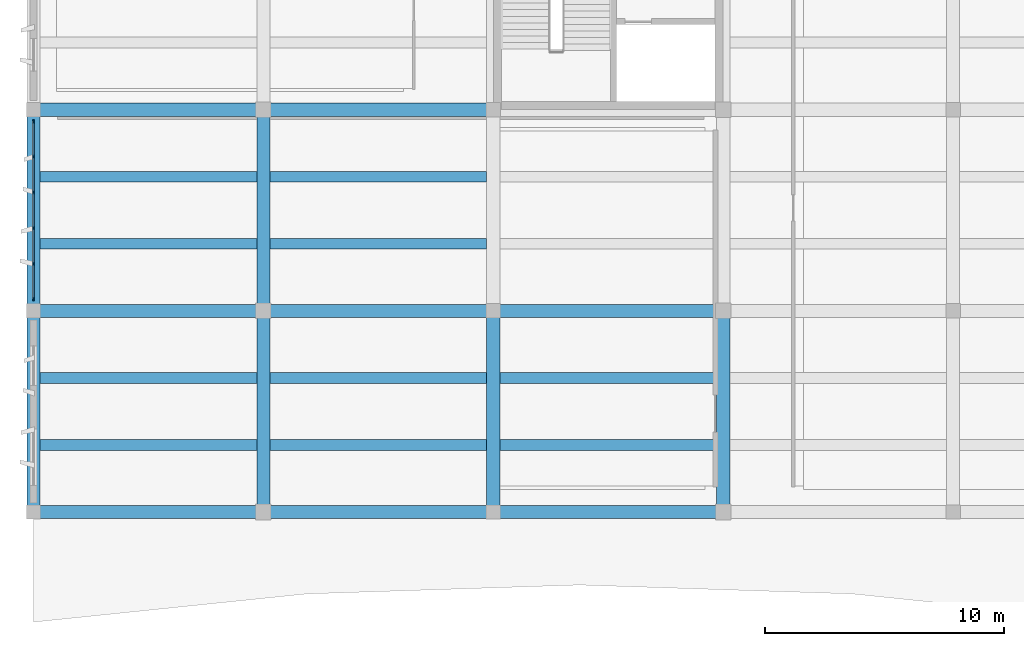
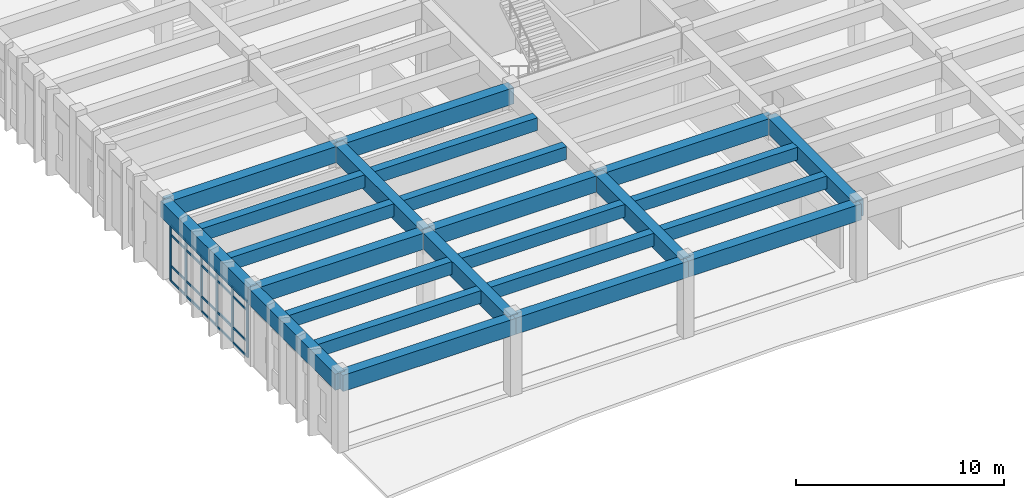
# One storey, part 3 of 86: 26 members, 24 beams, 1 element without a shape of its own.
"""IFC4 building model written with IfcOpenShell, lengths in metres."""

import ifcopenshell
import ifcopenshell.guid

model = None  # the IFC model being written
_history = None  # IfcOwnerHistory: only IFC2X3 demands one
_inside = {}  # id of a spatial element -> (the spatial element, [elements in it])
_under = {}  # id of a project, library or spatial element -> (it, [spatial elements below it])
_declared = {}  # id of a project -> (the project, [libraries it declares])
_typed = {}  # id of a type object -> (the type object, [elements of that type])
_made_of = {}  # id of a material, layer set ... -> (it, [elements and type objects made of it])


def new_model(schema):
    """Start an empty IFC model of exactly this schema.

    Asked for "IFC4X3", IfcOpenShell would pick the latest addendum, in which some entities
    have other attributes; the version numbers below select the first issue.
    IFC2X3 requires an IfcOwnerHistory on every rooted entity: one is made here for all.
    """
    global model, _history
    if schema == "IFC4X3":
        model = ifcopenshell.file(schema_version=(4, 3, 0, 0))
    else:
        model = ifcopenshell.file(schema=schema)
    _inside.clear()
    _under.clear()
    _declared.clear()
    _typed.clear()
    _made_of.clear()
    _history = None
    if model.schema == "IFC2X3":
        org = make("IfcOrganization", Name="unknown")
        user = make(
            "IfcPersonAndOrganization",
            ThePerson=make("IfcPerson", FamilyName="unknown"),
            TheOrganization=org,
        )
        app = make(
            "IfcApplication",
            ApplicationDeveloper=org,
            Version="unknown",
            ApplicationFullName="unknown",
            ApplicationIdentifier="unknown",
        )
        _history = make(
            "IfcOwnerHistory",
            OwningUser=user,
            OwningApplication=app,
            ChangeAction="ADDED",
            CreationDate=0,
        )
    return model


def make(cls, **values):
    """One entity of the class cls with the attributes given. An attribute that is None is left unset."""
    return model.create_entity(
        cls, **{name: value for name, value in values.items() if value is not None}
    )


def rooted(cls, **values):
    """An entity with a GlobalId (a new one), such as an element, a storey or a relation."""
    return make(cls, GlobalId=ifcopenshell.guid.new(), OwnerHistory=_history, **values)


def si_unit(unit_type, name, prefix=None):
    """IfcSIUnit, for example si_unit("LENGTHUNIT", "METRE", prefix="MILLI")."""
    return make("IfcSIUnit", UnitType=unit_type, Prefix=prefix, Name=name)


def assignment(units):
    """IfcUnitAssignment: the units of a project."""
    return None if units is None else make("IfcUnitAssignment", Units=units)


def point(xyz):
    """IfcCartesianPoint."""
    return None if xyz is None else make("IfcCartesianPoint", Coordinates=xyz)


def direction(xyz):
    """IfcDirection."""
    return None if xyz is None else make("IfcDirection", DirectionRatios=xyz)


def frame(location, z_axis=None, x_axis=None):
    """IfcAxis2Placement3D, a coordinate frame: its origin and axes. An axis left out is left unset."""
    return make(
        "IfcAxis2Placement3D",
        Location=point(location),
        Axis=direction(z_axis),
        RefDirection=direction(x_axis),
    )


def frame_2d(location, x_axis=None):
    """IfcAxis2Placement2D, a coordinate frame in the plane: its origin and x axis."""
    return make(
        "IfcAxis2Placement2D", Location=point(location), RefDirection=direction(x_axis)
    )


def origin():
    """The frame at (0, 0, 0) with its axes left unset."""
    return frame((0.0, 0.0, 0.0))


def origin_2d():
    """The frame at (0, 0) in the plane with its x axis left unset."""
    return frame_2d((0.0, 0.0))


def place(relative_to, where):
    """IfcLocalPlacement: puts the frame where relative to a parent placement (None: the world)."""
    return make(
        "IfcLocalPlacement", PlacementRelTo=relative_to, RelativePlacement=where
    )


def context(
    kind, dimensions, precision=None, world=None, true_north=None, identifier=None
):
    """IfcGeometricRepresentationContext, for example the 3D "Model" context."""
    return make(
        "IfcGeometricRepresentationContext",
        ContextIdentifier=identifier,
        ContextType=kind,
        CoordinateSpaceDimension=dimensions,
        Precision=precision,
        WorldCoordinateSystem=world,
        TrueNorth=true_north,
    )


def subcontext(parent, identifier, kind, view, scale=None):
    """IfcGeometricRepresentationSubContext, for example "Body" below "Model"."""
    return make(
        "IfcGeometricRepresentationSubContext",
        ContextIdentifier=identifier,
        ContextType=kind,
        ParentContext=parent,
        TargetScale=scale,
        TargetView=view,
    )


def project(units=None, contexts=None):
    """IfcProject with its units and contexts."""
    return rooted(
        "IfcProject",
        Name="project",
        RepresentationContexts=contexts,
        UnitsInContext=assignment(units),
    )


def spatial(cls, under=None, at=None, **own):
    """A site, building, storey or space (cls), placed at a placement, below another one or the project."""
    s = rooted(cls, ObjectPlacement=at, **own)
    if under is not None:
        _under.setdefault(under.id(), (under, []))[1].append(s)
    return s


def profile(cls, at=None, kind="AREA", **sizes):
    """A parametric profile (cls). Its sizes go by their IFC names, for example OverallWidth=200.0."""
    return make(cls, ProfileType=kind, Position=at, **sizes)


def rectangle(**sizes):
    """IfcRectangleProfileDef."""
    return profile("IfcRectangleProfileDef", **sizes)


def extrude(swept, where, along, depth):
    """IfcExtrudedAreaSolid: the profile swept, set in the frame where, extruded along a direction by depth."""
    return make(
        "IfcExtrudedAreaSolid",
        SweptArea=swept,
        Position=where,
        ExtrudedDirection=direction(along),
        Depth=depth,
    )


def shape(context_of_items, identifier, shape_type, items):
    """IfcShapeRepresentation: the items that make up one representation, for example the "Body"."""
    return make(
        "IfcShapeRepresentation",
        ContextOfItems=context_of_items,
        RepresentationIdentifier=identifier,
        RepresentationType=shape_type,
        Items=items,
    )


def material(Name=None, Category=None):
    """IfcMaterial."""
    return make("IfcMaterial", Name=Name, Category=Category)


def layer(
    of_material, thickness, ventilated=None, Name=None, Category=None, Priority=None
):
    """IfcMaterialLayer: one layer of a wall or slab, of a material (None: an air gap)."""
    return make(
        "IfcMaterialLayer",
        Material=of_material,
        LayerThickness=thickness,
        IsVentilated=ventilated,
        Name=Name,
        Category=Category,
        Priority=Priority,
    )


def layer_set(layers, Name=None):
    """IfcMaterialLayerSet."""
    return make("IfcMaterialLayerSet", MaterialLayers=layers, LayerSetName=Name)


def material_profile(
    of_material, cross_section, Name=None, Category=None, Priority=None
):
    """IfcMaterialProfile: a cross section and its material."""
    return make(
        "IfcMaterialProfile",
        Name=Name,
        Material=of_material,
        Profile=cross_section,
        Priority=Priority,
        Category=Category,
    )


def profile_set(profiles, Name=None, composite=None):
    """IfcMaterialProfileSet."""
    return make(
        "IfcMaterialProfileSet",
        Name=Name,
        MaterialProfiles=profiles,
        CompositeProfile=composite,
    )


def made_of(thing, what):
    """Note that an element or type object is made of a material, layer set ...; save() writes the relation."""
    if what is not None:
        _made_of.setdefault(what.id(), (what, []))[1].append(thing)
    return thing


def type_object(cls, material=None, **own):
    """A type object (cls), such as IfcWallType, which elements share."""
    return made_of(rooted(cls, **own), material)


def element(
    cls,
    number,
    at=None,
    inside=None,
    cuts=None,
    type_object=None,
    material=None,
    context=None,
    identifier="Body",
    shape_type=None,
    held_by="IfcProductDefinitionShape",
    body=None,
    shapes=None,
    **own,
):
    """One element of the class cls, such as IfcWall. Its Tag is "e" and its number.

    at: its placement. inside: the storey or other place that contains it. cuts: it is an
    opening in that element (IfcRelVoidsElement). A single representation is given by context,
    identifier, shape_type and body (its items); several are given by shapes. held_by: the class
    of the entity that holds the representations. save() writes the other relations.
    """
    e = rooted(cls, Tag="e%d" % number, ObjectPlacement=at, **own)
    if body is not None:
        shapes = [shape(context, identifier, shape_type, body)]
    if shapes is not None:
        e.Representation = make(held_by, Representations=shapes)
    if inside is not None:
        _inside.setdefault(inside.id(), (inside, []))[1].append(e)
    if cuts is not None:
        rooted(
            "IfcRelVoidsElement", RelatingBuildingElement=cuts, RelatedOpeningElement=e
        )
    if type_object is not None:
        _typed.setdefault(type_object.id(), (type_object, []))[1].append(e)
    return made_of(e, material)


def aggregate(whole, parts):
    """IfcRelAggregates: a whole, such as a stair, and the parts it consists of."""
    return rooted("IfcRelAggregates", RelatingObject=whole, RelatedObjects=parts)


def save(model, path):
    """Write the relations noted so far, then the file.

    IfcRelAggregates (storeys below a building ...), IfcRelContainedInSpatialStructure (elements
    in a storey), IfcRelDefinesByType, IfcRelAssociatesMaterial and IfcRelDeclares: one each for
    every whole, place, type object, material and project.
    """
    for whole, parts in _under.values():
        aggregate(whole, parts)
    for where, things in _inside.values():
        rooted(
            "IfcRelContainedInSpatialStructure",
            RelatedElements=things,
            RelatingStructure=where,
        )
    for kind, things in _typed.values():
        rooted("IfcRelDefinesByType", RelatedObjects=things, RelatingType=kind)
    for what, things in _made_of.values():
        rooted("IfcRelAssociatesMaterial", RelatedObjects=things, RelatingMaterial=what)
    for by, libraries in _declared.values():
        rooted("IfcRelDeclares", RelatingContext=by, RelatedDefinitions=libraries)
    model.write(path)


model = new_model("IFC4")

# Units and contexts
model_context = context("Model", 3, precision=1e-05, world=origin(), true_north=direction((0.0, 1.0)))
body_context = subcontext(model_context, "Body", "Model", "MODEL_VIEW")
ifc_project = project(units=[si_unit("LENGTHUNIT", "METRE"), si_unit("AREAUNIT", "SQUARE_METRE"), si_unit("VOLUMEUNIT", "CUBIC_METRE"), si_unit("PLANEANGLEUNIT", "RADIAN"), si_unit("MASSUNIT", "GRAM", prefix="KILO")], contexts=[model_context])

# Site, building, storey
site_placement = place(None, origin())
site = spatial("IfcSite", under=ifc_project, at=site_placement, CompositionType="ELEMENT")
building_placement = place(site_placement, origin())
building = spatial("IfcBuilding", under=site, at=building_placement, Name="Kolvemor Railside Polytechnic", CompositionType="ELEMENT")
storey_placement = place(building_placement, frame((0.0, 0.0, 5.39990234375)))
storey = spatial("IfcBuildingStorey", under=building, at=storey_placement, Name="L01", CompositionType="ELEMENT", Elevation=5.39990234375)

# Beams
ifc_material_1 = material(Name="Concrete C40/50", Category="concrete")
ifc_material_profile_1 = material_profile(ifc_material_1, rectangle(XDim=0.550048828125, YDim=0.949951171875, at=origin_2d()), Name="RC550x950")
ifc_profile_set_1 = profile_set([ifc_material_profile_1], Name="Concrete C40/50")
beam_type_1 = type_object("IfcBeamType", Name="BM-RC-GIRD", PredefinedType="BEAM", material=ifc_profile_set_1)
beam_1_placement = place(storey_placement, frame((0.0, 4.800048828125, 4.005126953125), z_axis=(1.0, 0.0, 0.0), x_axis=(0.0, 1.0, 0.0)))
element("IfcBeam", 1, at=beam_1_placement, inside=storey, type_object=beam_type_1, Name="Primary Girder L02-GX 0558", PredefinedType="BEAM", context=body_context, shape_type="SweptSolid", body=[
    extrude(rectangle(XDim=0.550048828125, YDim=0.949951171875, at=origin_2d()), origin(), (0.0, 0.0, 1.0), 9.60009765625),
])
beam_2_placement = place(storey_placement, frame((9.60009765625, 4.800048828125, 4.005126953125), z_axis=(1.0, 0.0, 0.0), x_axis=(0.0, 1.0, 0.0)))
element("IfcBeam", 2, at=beam_2_placement, inside=storey, type_object=beam_type_1, Name="Primary Girder L02-GX 0559", PredefinedType="BEAM", context=body_context, shape_type="SweptSolid", body=[
    extrude(rectangle(XDim=0.550048828125, YDim=0.949951171875, at=origin_2d()), origin(), (0.0, 0.0, 1.0), 9.599853515625),
])
for number, where, z_axis, x_axis, name in (
    (3, (19.199951171875, 4.800048828125, 4.005126953125), (1.0, 0.0, 0.0), (0.0, 1.0, 0.0), "Primary Girder L02-GX 0560"),
    (4, (0.0, 13.199951171875, 4.005126953125), (1.0, 0.0, 0.0), (0.0, 1.0, 0.0), "Primary Girder L02-GX 0563"),
):
    element("IfcBeam", number, at=place(storey_placement, frame(where, z_axis=z_axis, x_axis=x_axis)), inside=storey, type_object=beam_type_1, Name=name, PredefinedType="BEAM", context=body_context, shape_type="SweptSolid", body=[
        extrude(rectangle(XDim=0.550048828125, YDim=0.949951171875, at=origin_2d()), origin(), (0.0, 0.0, 1.0), 9.60009765625),
    ])
beam_3_placement = place(storey_placement, frame((9.60009765625, 13.199951171875, 4.005126953125), z_axis=(1.0, 0.0, 0.0), x_axis=(0.0, 1.0, 0.0)))
element("IfcBeam", 5, at=beam_3_placement, inside=storey, type_object=beam_type_1, Name="Primary Girder L02-GX 0564", PredefinedType="BEAM", context=body_context, shape_type="SweptSolid", body=[
    extrude(rectangle(XDim=0.550048828125, YDim=0.949951171875, at=origin_2d()), origin(), (0.0, 0.0, 1.0), 9.599853515625),
])
for number, where, z_axis, x_axis, name in (
    (6, (19.199951171875, 13.199951171875, 4.005126953125), (1.0, 0.0, 0.0), (0.0, 1.0, 0.0), "Primary Girder L02-GX 0565"),
    (7, (0.0, 21.60009765625, 4.005126953125), (1.0, 0.0, 0.0), (0.0, 1.0, 0.0), "Primary Girder L02-GX 0568"),
):
    element("IfcBeam", number, at=place(storey_placement, frame(where, z_axis=z_axis, x_axis=x_axis)), inside=storey, type_object=beam_type_1, Name=name, PredefinedType="BEAM", context=body_context, shape_type="SweptSolid", body=[
        extrude(rectangle(XDim=0.550048828125, YDim=0.949951171875, at=origin_2d()), origin(), (0.0, 0.0, 1.0), 9.60009765625),
    ])
beam_4_placement = place(storey_placement, frame((9.60009765625, 21.60009765625, 4.005126953125), z_axis=(1.0, 0.0, 0.0), x_axis=(0.0, 1.0, 0.0)))
element("IfcBeam", 8, at=beam_4_placement, inside=storey, type_object=beam_type_1, Name="Primary Girder L02-GX 0569", PredefinedType="BEAM", context=body_context, shape_type="SweptSolid", body=[
    extrude(rectangle(XDim=0.550048828125, YDim=0.949951171875, at=origin_2d()), origin(), (0.0, 0.0, 1.0), 9.599853515625),
])
beam_5_placement = place(storey_placement, frame((0.0, 4.800048828125, 4.005126953125), z_axis=(0.0, 1.0, 0.0), x_axis=(-1.0, 0.0, 0.0)))
element("IfcBeam", 9, at=beam_5_placement, inside=storey, type_object=beam_type_1, Name="Primary Girder L02-GY 0608", PredefinedType="BEAM", context=body_context, shape_type="SweptSolid", body=[
    extrude(rectangle(XDim=0.550048828125, YDim=0.949951171875, at=origin_2d()), origin(), (0.0, 0.0, 1.0), 8.39990234375),
])
beam_6_placement = place(storey_placement, frame((0.0, 13.199951171875, 4.005126953125), z_axis=(0.0, 1.0, 0.0), x_axis=(-1.0, 0.0, 0.0)))
element("IfcBeam", 10, at=beam_6_placement, inside=storey, type_object=beam_type_1, Name="Primary Girder L02-GY 0609", PredefinedType="BEAM", context=body_context, shape_type="SweptSolid", body=[
    extrude(rectangle(XDim=0.550048828125, YDim=0.949951171875, at=origin_2d()), origin(), (0.0, 0.0, 1.0), 8.400146484375),
])
beam_7_placement = place(storey_placement, frame((9.60009765625, 4.800048828125, 4.005126953125), z_axis=(0.0, 1.0, 0.0), x_axis=(-1.0, 0.0, 0.0)))
element("IfcBeam", 11, at=beam_7_placement, inside=storey, type_object=beam_type_1, Name="Primary Girder L02-GY 0617", PredefinedType="BEAM", context=body_context, shape_type="SweptSolid", body=[
    extrude(rectangle(XDim=0.550048828125, YDim=0.949951171875, at=origin_2d()), origin(), (0.0, 0.0, 1.0), 8.39990234375),
])
beam_8_placement = place(storey_placement, frame((9.60009765625, 13.199951171875, 4.005126953125), z_axis=(0.0, 1.0, 0.0), x_axis=(-1.0, 0.0, 0.0)))
element("IfcBeam", 12, at=beam_8_placement, inside=storey, type_object=beam_type_1, Name="Primary Girder L02-GY 0618", PredefinedType="BEAM", context=body_context, shape_type="SweptSolid", body=[
    extrude(rectangle(XDim=0.550048828125, YDim=0.949951171875, at=origin_2d()), origin(), (0.0, 0.0, 1.0), 8.400146484375),
])
for number, where, z_axis, x_axis, name in (
    (13, (19.199951171875, 4.800048828125, 4.005126953125), (0.0, 1.0, 0.0), (-1.0, 0.0, 0.0), "Primary Girder L02-GY 0626"),
    (14, (28.800048828125, 4.800048828125, 4.005126953125), (0.0, 1.0, 0.0), (-1.0, 0.0, 0.0), "Primary Girder L02-GY 0635"),
):
    element("IfcBeam", number, at=place(storey_placement, frame(where, z_axis=z_axis, x_axis=x_axis)), inside=storey, type_object=beam_type_1, Name=name, PredefinedType="BEAM", context=body_context, shape_type="SweptSolid", body=[
        extrude(rectangle(XDim=0.550048828125, YDim=0.949951171875, at=origin_2d()), origin(), (0.0, 0.0, 1.0), 8.39990234375),
    ])
ifc_material_2 = material(Name="Concrete C40/50", Category="concrete")
ifc_material_profile_2 = material_profile(ifc_material_2, rectangle(XDim=0.449951171875, YDim=0.75, at=origin_2d()), Name="RC450x750")
ifc_profile_set_2 = profile_set([ifc_material_profile_2], Name="Concrete C40/50")
beam_type_2 = type_object("IfcBeamType", Name="BM-RC-SEC", PredefinedType="JOIST", material=ifc_profile_set_2)
for number, where, z_axis, x_axis, name in (
    (15, (0.27490234375, 7.60009765625, 4.10498046875), (1.0, 0.0, 0.0), (0.0, 1.0, 0.0), "Floor Joist L02-J0662"),
    (16, (0.27490234375, 10.39990234375, 4.10498046875), (1.0, 0.0, 0.0), (0.0, 1.0, 0.0), "Floor Joist L02-J0663"),
    (17, (0.27490234375, 16.0, 4.10498046875), (1.0, 0.0, 0.0), (0.0, 1.0, 0.0), "Floor Joist L02-J0664"),
    (18, (0.27490234375, 18.800048828125, 4.10498046875), (1.0, 0.0, 0.0), (0.0, 1.0, 0.0), "Floor Joist L02-J0665"),
    (19, (9.875, 7.60009765625, 4.10498046875), (1.0, 0.0, 0.0), (0.0, 1.0, 0.0), "Floor Joist L02-J0680"),
    (20, (9.875, 10.39990234375, 4.10498046875), (1.0, 0.0, 0.0), (0.0, 1.0, 0.0), "Floor Joist L02-J0681"),
    (21, (9.875, 16.0, 4.10498046875), (1.0, 0.0, 0.0), (0.0, 1.0, 0.0), "Floor Joist L02-J0682"),
    (22, (9.875, 18.800048828125, 4.10498046875), (1.0, 0.0, 0.0), (0.0, 1.0, 0.0), "Floor Joist L02-J0683"),
):
    element("IfcBeam", number, at=place(storey_placement, frame(where, z_axis=z_axis, x_axis=x_axis)), inside=storey, type_object=beam_type_2, Name=name, PredefinedType="JOIST", context=body_context, shape_type="SweptSolid", body=[
        extrude(rectangle(XDim=0.449951171875, YDim=0.75, at=origin_2d()), origin(), (0.0, 0.0, 1.0), 9.050048828125),
    ])
for number, where, z_axis, x_axis, name in (
    (23, (19.47509765625, 7.60009765625, 4.10498046875), (1.0, 0.0, 0.0), (0.0, 1.0, 0.0), "Floor Joist L02-J0698"),
    (24, (19.47509765625, 10.39990234375, 4.10498046875), (1.0, 0.0, 0.0), (0.0, 1.0, 0.0), "Floor Joist L02-J0699"),
):
    element("IfcBeam", number, at=place(storey_placement, frame(where, z_axis=z_axis, x_axis=x_axis)), inside=storey, type_object=beam_type_2, Name=name, PredefinedType="JOIST", context=body_context, shape_type="SweptSolid", body=[
        extrude(rectangle(XDim=0.449951171875, YDim=0.75, at=origin_2d()), origin(), (0.0, 0.0, 1.0), 9.0498046875),
    ])

# Curtain wall, members
ifc_material_3 = material(Name="Anodised marine aluminium and laminated low-E glass", Category="aluminium")
ifc_layer = layer(ifc_material_3, 0.179931640625, Name="CW-UNIT-STD")
ifc_layer_set = layer_set([ifc_layer], Name="Anodised marine aluminium and laminated low-E glass")
curtain_wall_type = type_object("IfcCurtainWallType", Name="CW-UNIT-STD", PredefinedType="USERDEFINED", material=ifc_layer_set)
curtain_wall_placement = place(storey_placement, origin())
curtain_wall = element("IfcCurtainWall", 25, at=curtain_wall_placement, inside=storey, type_object=curtain_wall_type, Name="Curtain Wall L01-047", ObjectType="UNITISED CURTAIN WALL", PredefinedType="USERDEFINED")
ifc_material_4 = material(Name="Anodised marine aluminium 6063-T6", Category="aluminium")
ifc_material_profile_3 = material_profile(ifc_material_4, rectangle(XDim=0.06494140625, YDim=0.14990234375, at=origin_2d()), Name="CW-MUL-65x150")
ifc_profile_set_3 = profile_set([ifc_material_profile_3], Name="Anodised marine aluminium 6063-T6")
member_type_1 = type_object("IfcMemberType", Name="CWM-65x150", PredefinedType="MULLION", material=ifc_profile_set_3)
member_1_placement = place(storey_placement, frame((0.0, 21.097412109375, 0.0), z_axis=(0.0, 0.0, 1.0), x_axis=(1.0, 0.0, 0.0)))
member_1 = element("IfcMember", 26, at=member_1_placement, type_object=member_type_1, Name="CW-STD mullion 1", PredefinedType="MULLION", context=body_context, shape_type="SweptSolid", body=[
    extrude(rectangle(XDim=0.06494140625, YDim=0.14990234375, at=origin_2d()), origin(), (0.0, 0.0, 1.0), 3.280029296875),
])
member_2_placement = place(storey_placement, frame((0.0, 19.637939453125, 0.0), z_axis=(0.0, 0.0, 1.0), x_axis=(1.0, 0.0, 0.0)))
member_2 = element("IfcMember", 27, at=member_2_placement, type_object=member_type_1, Name="CW-STD mullion 2", PredefinedType="MULLION", context=body_context, shape_type="SweptSolid", body=[
    extrude(rectangle(XDim=0.06494140625, YDim=0.14990234375, at=origin_2d()), origin(), (0.0, 0.0, 1.0), 3.280029296875),
])
member_3_placement = place(storey_placement, frame((0.0, 18.14599609375, 0.0), z_axis=(0.0, 0.0, 1.0), x_axis=(1.0, 0.0, 0.0)))
member_3 = element("IfcMember", 28, at=member_3_placement, type_object=member_type_1, Name="CW-STD mullion 3", PredefinedType="MULLION", context=body_context, shape_type="SweptSolid", body=[
    extrude(rectangle(XDim=0.06494140625, YDim=0.14990234375, at=origin_2d()), origin(), (0.0, 0.0, 1.0), 3.280029296875),
])
member_4_placement = place(storey_placement, frame((0.0, 16.654052734375, 0.0), z_axis=(0.0, 0.0, 1.0), x_axis=(1.0, 0.0, 0.0)))
member_4 = element("IfcMember", 29, at=member_4_placement, type_object=member_type_1, Name="CW-STD mullion 4", PredefinedType="MULLION", context=body_context, shape_type="SweptSolid", body=[
    extrude(rectangle(XDim=0.06494140625, YDim=0.14990234375, at=origin_2d()), origin(), (0.0, 0.0, 1.0), 3.280029296875),
])
member_5_placement = place(storey_placement, frame((0.0, 15.162109375, 0.0), z_axis=(0.0, 0.0, 1.0), x_axis=(1.0, 0.0, 0.0)))
member_5 = element("IfcMember", 30, at=member_5_placement, type_object=member_type_1, Name="CW-STD mullion 5", PredefinedType="MULLION", context=body_context, shape_type="SweptSolid", body=[
    extrude(rectangle(XDim=0.06494140625, YDim=0.14990234375, at=origin_2d()), origin(), (0.0, 0.0, 1.0), 3.280029296875),
])
member_6_placement = place(storey_placement, frame((0.0, 13.702392578125, 0.0), z_axis=(0.0, 0.0, 1.0), x_axis=(1.0, 0.0, 0.0)))
member_6 = element("IfcMember", 31, at=member_6_placement, type_object=member_type_1, Name="CW-STD mullion 6", PredefinedType="MULLION", context=body_context, shape_type="SweptSolid", body=[
    extrude(rectangle(XDim=0.06494140625, YDim=0.14990234375, at=origin_2d()), origin(), (0.0, 0.0, 1.0), 3.280029296875),
])
ifc_material_5 = material(Name="Anodised marine aluminium 6063-T6", Category="aluminium")
ifc_material_profile_4 = material_profile(ifc_material_5, rectangle(XDim=0.06494140625, YDim=0.1201171875, at=origin_2d()), Name="CW-TRN-65x120")
ifc_profile_set_4 = profile_set([ifc_material_profile_4], Name="Anodised marine aluminium 6063-T6")
member_type_2 = type_object("IfcMemberType", Name="CWT-65x120", PredefinedType="USERDEFINED", material=ifc_profile_set_4)
member_7_placement = place(storey_placement, frame((0.0, 21.06494140625, 0.03271484375), z_axis=(0.0, -1.0, 0.0), x_axis=(1.0, 0.0, 0.0)))
member_7 = element("IfcMember", 32, at=member_7_placement, type_object=member_type_2, Name="CW-STD transom 1.1", ObjectType="TRANSOM", PredefinedType="USERDEFINED", context=body_context, shape_type="SweptSolid", body=[
    extrude(rectangle(XDim=0.06494140625, YDim=0.1201171875, at=origin_2d()), origin(), (0.0, 0.0, 1.0), 1.39453125),
])
member_8_placement = place(storey_placement, frame((0.0, 21.06494140625, 0.900146484375), z_axis=(0.0, -1.0, 0.0), x_axis=(1.0, 0.0, 0.0)))
member_8 = element("IfcMember", 33, at=member_8_placement, type_object=member_type_2, Name="CW-STD transom 1.2", ObjectType="TRANSOM", PredefinedType="USERDEFINED", context=body_context, shape_type="SweptSolid", body=[
    extrude(rectangle(XDim=0.06494140625, YDim=0.1201171875, at=origin_2d()), origin(), (0.0, 0.0, 1.0), 1.39453125),
])
member_9_placement = place(storey_placement, frame((0.0, 21.06494140625, 2.72998046875), z_axis=(0.0, -1.0, 0.0), x_axis=(1.0, 0.0, 0.0)))
member_9 = element("IfcMember", 34, at=member_9_placement, type_object=member_type_2, Name="CW-STD transom 1.3", ObjectType="TRANSOM", PredefinedType="USERDEFINED", context=body_context, shape_type="SweptSolid", body=[
    extrude(rectangle(XDim=0.06494140625, YDim=0.1201171875, at=origin_2d()), origin(), (0.0, 0.0, 1.0), 1.39453125),
])
member_10_placement = place(storey_placement, frame((0.0, 21.06494140625, 3.24755859375), z_axis=(0.0, -1.0, 0.0), x_axis=(1.0, 0.0, 0.0)))
member_10 = element("IfcMember", 35, at=member_10_placement, type_object=member_type_2, Name="CW-STD transom 1.4", ObjectType="TRANSOM", PredefinedType="USERDEFINED", context=body_context, shape_type="SweptSolid", body=[
    extrude(rectangle(XDim=0.06494140625, YDim=0.1201171875, at=origin_2d()), origin(), (0.0, 0.0, 1.0), 1.39453125),
])
member_11_placement = place(storey_placement, frame((0.0, 19.60546875, 0.03271484375), z_axis=(0.0, -1.0, 0.0), x_axis=(1.0, 0.0, 0.0)))
member_11 = element("IfcMember", 36, at=member_11_placement, type_object=member_type_2, Name="CW-STD transom 2.1", ObjectType="TRANSOM", PredefinedType="USERDEFINED", context=body_context, shape_type="SweptSolid", body=[
    extrude(rectangle(XDim=0.06494140625, YDim=0.1201171875, at=origin_2d()), origin(), (0.0, 0.0, 1.0), 1.427001953125),
])
member_12_placement = place(storey_placement, frame((0.0, 19.60546875, 0.900146484375), z_axis=(0.0, -1.0, 0.0), x_axis=(1.0, 0.0, 0.0)))
member_12 = element("IfcMember", 37, at=member_12_placement, type_object=member_type_2, Name="CW-STD transom 2.2", ObjectType="TRANSOM", PredefinedType="USERDEFINED", context=body_context, shape_type="SweptSolid", body=[
    extrude(rectangle(XDim=0.06494140625, YDim=0.1201171875, at=origin_2d()), origin(), (0.0, 0.0, 1.0), 1.427001953125),
])
member_13_placement = place(storey_placement, frame((0.0, 19.60546875, 2.72998046875), z_axis=(0.0, -1.0, 0.0), x_axis=(1.0, 0.0, 0.0)))
member_13 = element("IfcMember", 38, at=member_13_placement, type_object=member_type_2, Name="CW-STD transom 2.3", ObjectType="TRANSOM", PredefinedType="USERDEFINED", context=body_context, shape_type="SweptSolid", body=[
    extrude(rectangle(XDim=0.06494140625, YDim=0.1201171875, at=origin_2d()), origin(), (0.0, 0.0, 1.0), 1.427001953125),
])
member_14_placement = place(storey_placement, frame((0.0, 19.60546875, 3.24755859375), z_axis=(0.0, -1.0, 0.0), x_axis=(1.0, 0.0, 0.0)))
member_14 = element("IfcMember", 39, at=member_14_placement, type_object=member_type_2, Name="CW-STD transom 2.4", ObjectType="TRANSOM", PredefinedType="USERDEFINED", context=body_context, shape_type="SweptSolid", body=[
    extrude(rectangle(XDim=0.06494140625, YDim=0.1201171875, at=origin_2d()), origin(), (0.0, 0.0, 1.0), 1.427001953125),
])
member_15_placement = place(storey_placement, frame((0.0, 18.113525390625, 0.03271484375), z_axis=(0.0, -1.0, 0.0), x_axis=(1.0, 0.0, 0.0)))
member_15 = element("IfcMember", 40, at=member_15_placement, type_object=member_type_2, Name="CW-STD transom 3.1", ObjectType="TRANSOM", PredefinedType="USERDEFINED", context=body_context, shape_type="SweptSolid", body=[
    extrude(rectangle(XDim=0.06494140625, YDim=0.1201171875, at=origin_2d()), origin(), (0.0, 0.0, 1.0), 1.427001953125),
])
member_16_placement = place(storey_placement, frame((0.0, 18.113525390625, 0.900146484375), z_axis=(0.0, -1.0, 0.0), x_axis=(1.0, 0.0, 0.0)))
member_16 = element("IfcMember", 41, at=member_16_placement, type_object=member_type_2, Name="CW-STD transom 3.2", ObjectType="TRANSOM", PredefinedType="USERDEFINED", context=body_context, shape_type="SweptSolid", body=[
    extrude(rectangle(XDim=0.06494140625, YDim=0.1201171875, at=origin_2d()), origin(), (0.0, 0.0, 1.0), 1.427001953125),
])
member_17_placement = place(storey_placement, frame((0.0, 18.113525390625, 2.72998046875), z_axis=(0.0, -1.0, 0.0), x_axis=(1.0, 0.0, 0.0)))
member_17 = element("IfcMember", 42, at=member_17_placement, type_object=member_type_2, Name="CW-STD transom 3.3", ObjectType="TRANSOM", PredefinedType="USERDEFINED", context=body_context, shape_type="SweptSolid", body=[
    extrude(rectangle(XDim=0.06494140625, YDim=0.1201171875, at=origin_2d()), origin(), (0.0, 0.0, 1.0), 1.427001953125),
])
member_18_placement = place(storey_placement, frame((0.0, 18.113525390625, 3.24755859375), z_axis=(0.0, -1.0, 0.0), x_axis=(1.0, 0.0, 0.0)))
member_18 = element("IfcMember", 43, at=member_18_placement, type_object=member_type_2, Name="CW-STD transom 3.4", ObjectType="TRANSOM", PredefinedType="USERDEFINED", context=body_context, shape_type="SweptSolid", body=[
    extrude(rectangle(XDim=0.06494140625, YDim=0.1201171875, at=origin_2d()), origin(), (0.0, 0.0, 1.0), 1.427001953125),
])
member_19_placement = place(storey_placement, frame((0.0, 16.62158203125, 0.03271484375), z_axis=(0.0, -1.0, 0.0), x_axis=(1.0, 0.0, 0.0)))
member_19 = element("IfcMember", 44, at=member_19_placement, type_object=member_type_2, Name="CW-STD transom 4.1", ObjectType="TRANSOM", PredefinedType="USERDEFINED", context=body_context, shape_type="SweptSolid", body=[
    extrude(rectangle(XDim=0.06494140625, YDim=0.1201171875, at=origin_2d()), origin(), (0.0, 0.0, 1.0), 1.427001953125),
])
member_20_placement = place(storey_placement, frame((0.0, 16.62158203125, 0.900146484375), z_axis=(0.0, -1.0, 0.0), x_axis=(1.0, 0.0, 0.0)))
member_20 = element("IfcMember", 45, at=member_20_placement, type_object=member_type_2, Name="CW-STD transom 4.2", ObjectType="TRANSOM", PredefinedType="USERDEFINED", context=body_context, shape_type="SweptSolid", body=[
    extrude(rectangle(XDim=0.06494140625, YDim=0.1201171875, at=origin_2d()), origin(), (0.0, 0.0, 1.0), 1.427001953125),
])
member_21_placement = place(storey_placement, frame((0.0, 16.62158203125, 2.72998046875), z_axis=(0.0, -1.0, 0.0), x_axis=(1.0, 0.0, 0.0)))
member_21 = element("IfcMember", 46, at=member_21_placement, type_object=member_type_2, Name="CW-STD transom 4.3", ObjectType="TRANSOM", PredefinedType="USERDEFINED", context=body_context, shape_type="SweptSolid", body=[
    extrude(rectangle(XDim=0.06494140625, YDim=0.1201171875, at=origin_2d()), origin(), (0.0, 0.0, 1.0), 1.427001953125),
])
member_22_placement = place(storey_placement, frame((0.0, 16.62158203125, 3.24755859375), z_axis=(0.0, -1.0, 0.0), x_axis=(1.0, 0.0, 0.0)))
member_22 = element("IfcMember", 47, at=member_22_placement, type_object=member_type_2, Name="CW-STD transom 4.4", ObjectType="TRANSOM", PredefinedType="USERDEFINED", context=body_context, shape_type="SweptSolid", body=[
    extrude(rectangle(XDim=0.06494140625, YDim=0.1201171875, at=origin_2d()), origin(), (0.0, 0.0, 1.0), 1.427001953125),
])
member_23_placement = place(storey_placement, frame((0.0, 15.12939453125, 0.03271484375), z_axis=(0.0, -1.0, 0.0), x_axis=(1.0, 0.0, 0.0)))
member_23 = element("IfcMember", 48, at=member_23_placement, type_object=member_type_2, Name="CW-STD transom 5.1", ObjectType="TRANSOM", PredefinedType="USERDEFINED", context=body_context, shape_type="SweptSolid", body=[
    extrude(rectangle(XDim=0.06494140625, YDim=0.1201171875, at=origin_2d()), origin(), (0.0, 0.0, 1.0), 1.394287109375),
])
member_24_placement = place(storey_placement, frame((0.0, 15.12939453125, 0.900146484375), z_axis=(0.0, -1.0, 0.0), x_axis=(1.0, 0.0, 0.0)))
member_24 = element("IfcMember", 49, at=member_24_placement, type_object=member_type_2, Name="CW-STD transom 5.2", ObjectType="TRANSOM", PredefinedType="USERDEFINED", context=body_context, shape_type="SweptSolid", body=[
    extrude(rectangle(XDim=0.06494140625, YDim=0.1201171875, at=origin_2d()), origin(), (0.0, 0.0, 1.0), 1.394287109375),
])
member_25_placement = place(storey_placement, frame((0.0, 15.12939453125, 2.72998046875), z_axis=(0.0, -1.0, 0.0), x_axis=(1.0, 0.0, 0.0)))
member_25 = element("IfcMember", 50, at=member_25_placement, type_object=member_type_2, Name="CW-STD transom 5.3", ObjectType="TRANSOM", PredefinedType="USERDEFINED", context=body_context, shape_type="SweptSolid", body=[
    extrude(rectangle(XDim=0.06494140625, YDim=0.1201171875, at=origin_2d()), origin(), (0.0, 0.0, 1.0), 1.394287109375),
])
member_26_placement = place(storey_placement, frame((0.0, 15.12939453125, 3.24755859375), z_axis=(0.0, -1.0, 0.0), x_axis=(1.0, 0.0, 0.0)))
member_26 = element("IfcMember", 51, at=member_26_placement, type_object=member_type_2, Name="CW-STD transom 5.4", ObjectType="TRANSOM", PredefinedType="USERDEFINED", context=body_context, shape_type="SweptSolid", body=[
    extrude(rectangle(XDim=0.06494140625, YDim=0.1201171875, at=origin_2d()), origin(), (0.0, 0.0, 1.0), 1.394287109375),
])
aggregate(curtain_wall, [member_1, member_2, member_3, member_4, member_5, member_6, member_7, member_8, member_9, member_10, member_11, member_12, member_13, member_14, member_15, member_16, member_17, member_18, member_19, member_20, member_21, member_22, member_23, member_24, member_25, member_26])

save(model, "model.ifc")
